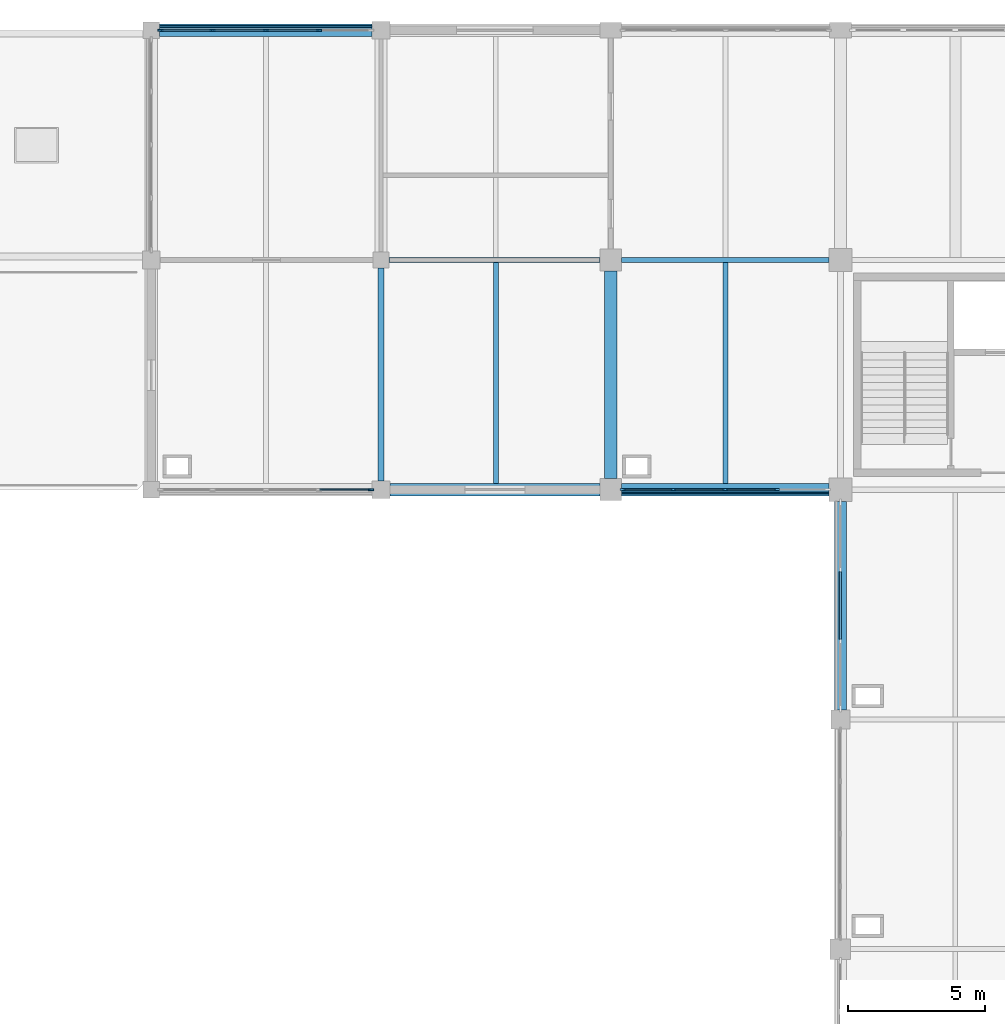
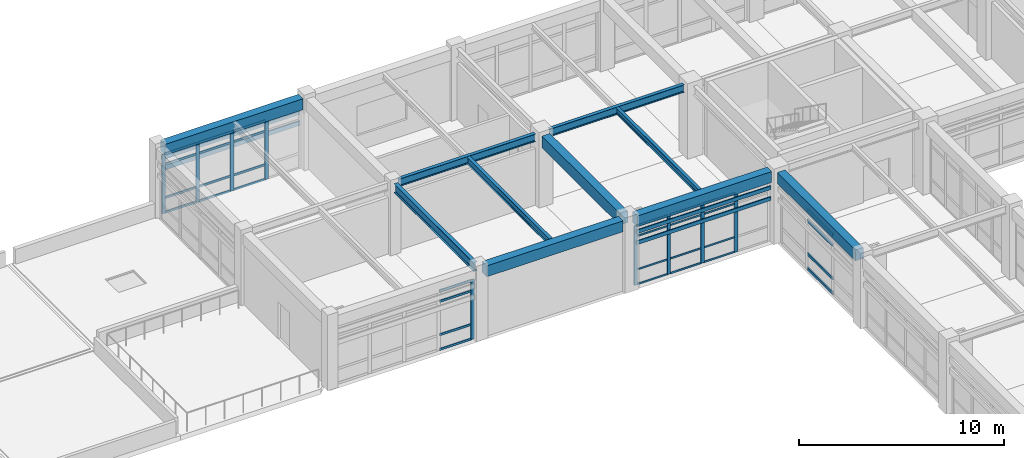
# One storey, part 15 of 78: 45 members, 10 beams, 4 elements without a shape of their own.
"""IFC4 building model written with IfcOpenShell, lengths in metres."""

from ifc_helpers import new_model, si_unit, direction, frame, origin, origin_2d, place, context, subcontext, project, spatial, rectangle, i_section, extrude, material, layer, layer_set, material_profile, profile_set, type_object, element, aggregate, save


model = new_model("IFC4")

# Units and contexts
model_context = context("Model", 3, precision=1e-05, world=origin(), true_north=direction((0.0, 1.0)))
body_context = subcontext(model_context, "Body", "Model", "MODEL_VIEW")
ifc_project = project(units=[si_unit("LENGTHUNIT", "METRE"), si_unit("AREAUNIT", "SQUARE_METRE"), si_unit("VOLUMEUNIT", "CUBIC_METRE"), si_unit("PLANEANGLEUNIT", "RADIAN"), si_unit("MASSUNIT", "GRAM", prefix="KILO")], contexts=[model_context])

# Site, building, storey
site_placement = place(None, origin())
site = spatial("IfcSite", under=ifc_project, at=site_placement, CompositionType="ELEMENT")
building_placement = place(site_placement, origin())
building = spatial("IfcBuilding", under=site, at=building_placement, Name="Porcellanite Civic Hall", CompositionType="ELEMENT")
storey_placement = place(building_placement, frame((0.0, 0.0, 10.260009765625)))
storey = spatial("IfcBuildingStorey", under=building, at=storey_placement, Name="L02", CompositionType="ELEMENT", Elevation=10.260009765625)

# Beams
ifc_material_1 = material(Name="Concrete N50 (50 MPa)", Category="concrete")
ifc_material_profile_1 = material_profile(ifc_material_1, rectangle(XDim=0.449951171875, YDim=0.64990234375, at=origin_2d()), Name="RC-450x650")
ifc_profile_set_1 = profile_set([ifc_material_profile_1], Name="Concrete N50 (50 MPa)")
beam_type_1 = type_object("IfcBeamType", Name="BM-RC650", PredefinedType="SPANDREL", material=ifc_profile_set_1)
beam_1_placement = place(storey_placement, frame((25.49951171875, 117.60009765625, 3.9150390625), z_axis=(1.0, 0.0, 0.0), x_axis=(0.0, 1.0, 0.0)))
element("IfcBeam", 1, at=beam_1_placement, inside=storey, type_object=beam_type_1, Name="Beam X L02 4-15", PredefinedType="SPANDREL", context=body_context, shape_type="SweptSolid", body=[
    extrude(rectangle(XDim=0.449951171875, YDim=0.64990234375, at=origin_2d()), origin(), (0.0, 0.0, 1.0), 7.77587890625),
])
beam_2_placement = place(storey_placement, frame((33.924560546875, 100.800048828125, 3.9150390625), z_axis=(1.0, 0.0, 0.0), x_axis=(0.0, 1.0, 0.0)))
element("IfcBeam", 2, at=beam_2_placement, inside=storey, type_object=beam_type_1, Name="Beam X L02 5-13", PredefinedType="SPANDREL", context=body_context, shape_type="SweptSolid", body=[
    extrude(rectangle(XDim=0.449951171875, YDim=0.64990234375, at=origin_2d()), origin(), (0.0, 0.0, 1.0), 7.676025390625),
])
beam_3_placement = place(storey_placement, frame((42.3994140625, 100.800048828125, 3.9150390625), z_axis=(1.0, 0.0, 0.0), x_axis=(0.0, 1.0, 0.0)))
element("IfcBeam", 3, at=beam_3_placement, inside=storey, type_object=beam_type_1, Name="Beam X L02 6-13", PredefinedType="SPANDREL", context=body_context, shape_type="SweptSolid", body=[
    extrude(rectangle(XDim=0.449951171875, YDim=0.64990234375, at=origin_2d()), origin(), (0.0, 0.0, 1.0), 7.576171875),
])
beam_4_placement = place(storey_placement, frame((50.39990234375, 92.74951171875, 3.9150390625), z_axis=(0.0, 1.0, 0.0), x_axis=(-1.0, 0.0, 0.0)))
element("IfcBeam", 4, at=beam_4_placement, inside=storey, type_object=beam_type_1, Name="Beam Y L02 7-12", PredefinedType="SPANDREL", context=body_context, shape_type="SweptSolid", body=[
    extrude(rectangle(XDim=0.449951171875, YDim=0.64990234375, at=origin_2d()), origin(), (0.0, 0.0, 1.0), 7.6259765625),
])
ifc_material_2 = material(Name="Concrete N50 (50 MPa)", Category="concrete")
ifc_material_profile_2 = material_profile(ifc_material_2, rectangle(XDim=0.449951171875, YDim=0.699951171875, at=origin_2d()), Name="RC-450x700")
ifc_profile_set_2 = profile_set([ifc_material_profile_2], Name="Concrete N50 (50 MPa)")
beam_type_2 = type_object("IfcBeamType", Name="BM-RC700", PredefinedType="BEAM", material=ifc_profile_set_2)
beam_5_placement = place(storey_placement, frame((42.0, 101.199462890625, 3.889892578125), z_axis=(0.0, 1.0, 0.0), x_axis=(-1.0, 0.0, 0.0)))
element("IfcBeam", 5, at=beam_5_placement, inside=storey, type_object=beam_type_2, Name="Beam Y L02 6-13", PredefinedType="BEAM", context=body_context, shape_type="SweptSolid", body=[
    extrude(rectangle(XDim=0.449951171875, YDim=0.699951171875, at=origin_2d()), origin(), (0.0, 0.0, 1.0), 7.60107421875),
])

# Curtain wall, members
ifc_material_3 = material(Name="Anodised aluminium and solar laminated glass", Category="aluminium")
ifc_layer_1 = layer(ifc_material_3, 0.179931640625)
ifc_layer_set_1 = layer_set([ifc_layer_1], Name="Anodised aluminium and solar laminated glass")
curtain_wall_type_1 = type_object("IfcCurtainWallType", Name="CW-SYS04", PredefinedType="NOTDEFINED", material=ifc_layer_set_1)
curtain_wall_1_placement = place(storey_placement, origin())
curtain_wall_1 = element("IfcCurtainWall", 6, at=curtain_wall_1_placement, inside=storey, type_object=curtain_wall_type_1, Name="Curtain wall CW-139", PredefinedType="NOTDEFINED")
ifc_material_4 = material(Name="Anodised aluminium 6063-T6", Category="aluminium")
ifc_material_profile_3 = material_profile(ifc_material_4, rectangle(XDim=0.074951171875, YDim=0.18994140625, at=origin_2d()), Name="AL-75x190")
ifc_profile_set_3 = profile_set([ifc_material_profile_3], Name="Anodised aluminium 6063-T6")
member_type_1 = type_object("IfcMemberType", Name="CWM-04", PredefinedType="MULLION", material=ifc_profile_set_3)
member_1_placement = place(storey_placement, frame((48.080810546875, 100.800048828125, 0.0), z_axis=(0.0, 0.0, 1.0), x_axis=(0.0, -1.0, 0.0)))
member_1 = element("IfcMember", 7, at=member_1_placement, type_object=member_type_1, Name="CW-139 mullion 2", PredefinedType="MULLION", context=body_context, shape_type="SweptSolid", body=[
    extrude(rectangle(XDim=0.074951171875, YDim=0.18994140625, at=origin_2d()), origin(), (0.0, 0.0, 1.0), 3.5400390625),
])
member_2_placement = place(storey_placement, frame((46.1875, 100.800048828125, 0.0), z_axis=(0.0, 0.0, 1.0), x_axis=(0.0, -1.0, 0.0)))
member_2 = element("IfcMember", 8, at=member_2_placement, type_object=member_type_1, Name="CW-139 mullion 3", PredefinedType="MULLION", context=body_context, shape_type="SweptSolid", body=[
    extrude(rectangle(XDim=0.074951171875, YDim=0.18994140625, at=origin_2d()), origin(), (0.0, 0.0, 1.0), 3.5400390625),
])
member_3_placement = place(storey_placement, frame((44.294189453125, 100.800048828125, 0.0), z_axis=(0.0, 0.0, 1.0), x_axis=(0.0, -1.0, 0.0)))
member_3 = element("IfcMember", 9, at=member_3_placement, type_object=member_type_1, Name="CW-139 mullion 4", PredefinedType="MULLION", context=body_context, shape_type="SweptSolid", body=[
    extrude(rectangle(XDim=0.074951171875, YDim=0.18994140625, at=origin_2d()), origin(), (0.0, 0.0, 1.0), 3.5400390625),
])
member_4_placement = place(storey_placement, frame((42.4384765625, 100.800048828125, 0.0), z_axis=(0.0, 0.0, 1.0), x_axis=(0.0, -1.0, 0.0)))
member_4 = element("IfcMember", 10, at=member_4_placement, type_object=member_type_1, Name="CW-139 mullion 5", PredefinedType="MULLION", context=body_context, shape_type="SweptSolid", body=[
    extrude(rectangle(XDim=0.074951171875, YDim=0.18994140625, at=origin_2d()), origin(), (0.0, 0.0, 1.0), 3.5400390625),
])

# Curtain wall, member
ifc_material_5 = material(Name="Anodised aluminium and solar laminated glass", Category="aluminium")
ifc_layer_2 = layer(ifc_material_5, 0.179931640625)
ifc_layer_set_2 = layer_set([ifc_layer_2], Name="Anodised aluminium and solar laminated glass")
curtain_wall_type_2 = type_object("IfcCurtainWallType", Name="CW-SYS05", PredefinedType="NOTDEFINED", material=ifc_layer_set_2)
curtain_wall_2_placement = place(storey_placement, origin())
curtain_wall_2 = element("IfcCurtainWall", 11, at=curtain_wall_2_placement, inside=storey, type_object=curtain_wall_type_2, Name="Curtain wall CW-136", PredefinedType="NOTDEFINED")
ifc_material_6 = material(Name="Anodised aluminium 6063-T6", Category="aluminium")
ifc_material_profile_4 = material_profile(ifc_material_6, rectangle(XDim=0.070068359375, YDim=0.199951171875, at=origin_2d()), Name="AL-70x200")
ifc_profile_set_4 = profile_set([ifc_material_profile_4], Name="Anodised aluminium 6063-T6")
member_type_2 = type_object("IfcMemberType", Name="CWM-05", PredefinedType="MULLION", material=ifc_profile_set_4)
member_5_placement = place(storey_placement, frame((33.239013671875, 100.800048828125, 0.0), z_axis=(0.0, 0.0, 1.0), x_axis=(0.0, -1.0, 0.0)))
member_5 = element("IfcMember", 12, at=member_5_placement, type_object=member_type_2, Name="CW-136 mullion 1", PredefinedType="MULLION", context=body_context, shape_type="SweptSolid", body=[
    extrude(rectangle(XDim=0.070068359375, YDim=0.199951171875, at=origin_2d()), origin(), (0.0, 0.0, 1.0), 3.5400390625),
])

# Curtain wall, members
curtain_wall_3_placement = place(storey_placement, origin())
curtain_wall_3 = element("IfcCurtainWall", 13, at=curtain_wall_3_placement, inside=storey, type_object=curtain_wall_type_2, Name="Curtain wall CW-138", PredefinedType="NOTDEFINED")
member_6_placement = place(storey_placement, frame((25.535888671875, 117.60009765625, 0.0), z_axis=(0.0, 0.0, 1.0), x_axis=(0.0, 1.0, 0.0)))
member_6 = element("IfcMember", 14, at=member_6_placement, type_object=member_type_2, Name="CW-138 mullion 1", PredefinedType="MULLION", context=body_context, shape_type="SweptSolid", body=[
    extrude(rectangle(XDim=0.070068359375, YDim=0.199951171875, at=origin_2d()), origin(), (0.0, 0.0, 1.0), 3.5400390625),
])
member_7_placement = place(storey_placement, frame((27.4443359375, 117.60009765625, 0.0), z_axis=(0.0, 0.0, 1.0), x_axis=(0.0, 1.0, 0.0)))
member_7 = element("IfcMember", 15, at=member_7_placement, type_object=member_type_2, Name="CW-138 mullion 2", PredefinedType="MULLION", context=body_context, shape_type="SweptSolid", body=[
    extrude(rectangle(XDim=0.070068359375, YDim=0.199951171875, at=origin_2d()), origin(), (0.0, 0.0, 1.0), 3.5400390625),
])
member_8_placement = place(storey_placement, frame((29.387451171875, 117.60009765625, 0.0), z_axis=(0.0, 0.0, 1.0), x_axis=(0.0, 1.0, 0.0)))
member_8 = element("IfcMember", 16, at=member_8_placement, type_object=member_type_2, Name="CW-138 mullion 3", PredefinedType="MULLION", context=body_context, shape_type="SweptSolid", body=[
    extrude(rectangle(XDim=0.070068359375, YDim=0.199951171875, at=origin_2d()), origin(), (0.0, 0.0, 1.0), 3.5400390625),
])
member_9_placement = place(storey_placement, frame((31.330810546875, 117.60009765625, 0.0), z_axis=(0.0, 0.0, 1.0), x_axis=(0.0, 1.0, 0.0)))
member_9 = element("IfcMember", 17, at=member_9_placement, type_object=member_type_2, Name="CW-138 mullion 4", PredefinedType="MULLION", context=body_context, shape_type="SweptSolid", body=[
    extrude(rectangle(XDim=0.070068359375, YDim=0.199951171875, at=origin_2d()), origin(), (0.0, 0.0, 1.0), 3.5400390625),
])

ifc_material_7 = material(Name="Anodised aluminium and solar laminated glass", Category="aluminium")
ifc_layer_3 = layer(ifc_material_7, 0.179931640625)
ifc_layer_set_3 = layer_set([ifc_layer_3], Name="Anodised aluminium and solar laminated glass")
curtain_wall_type_3 = type_object("IfcCurtainWallType", Name="CW-SYS08", PredefinedType="NOTDEFINED", material=ifc_layer_set_3)
curtain_wall_4_placement = place(storey_placement, origin())
curtain_wall_4 = element("IfcCurtainWall", 18, at=curtain_wall_4_placement, inside=storey, type_object=curtain_wall_type_3, Name="Curtain wall CW-148", PredefinedType="NOTDEFINED")
ifc_material_8 = material(Name="Anodised aluminium 6063-T6", Category="aluminium")
ifc_material_profile_5 = material_profile(ifc_material_8, rectangle(XDim=0.070068359375, YDim=0.175048828125, at=origin_2d()), Name="AL-70x175")
ifc_profile_set_5 = profile_set([ifc_material_profile_5], Name="Anodised aluminium 6063-T6")
member_type_3 = type_object("IfcMemberType", Name="CWT-01", PredefinedType="USERDEFINED", material=ifc_profile_set_5)
member_10_placement = place(storey_placement, frame((50.39990234375, 95.33203125, 0.034912109375), z_axis=(0.0, 1.0, 0.0), x_axis=(-1.0, 0.0, 0.0)))
member_10 = element("IfcMember", 19, at=member_10_placement, type_object=member_type_3, Name="CW-148 transom 2.1", ObjectType="TRANSOM", PredefinedType="USERDEFINED", context=body_context, shape_type="SweptSolid", body=[
    extrude(rectangle(XDim=0.070068359375, YDim=0.175048828125, at=origin_2d()), origin(), (0.0, 0.0, 1.0), 2.4609375),
])
member_11_placement = place(storey_placement, frame((50.39990234375, 95.33203125, 0.89990234375), z_axis=(0.0, 1.0, 0.0), x_axis=(-1.0, 0.0, 0.0)))
member_11 = element("IfcMember", 20, at=member_11_placement, type_object=member_type_3, Name="CW-148 transom 2.2", ObjectType="TRANSOM", PredefinedType="USERDEFINED", context=body_context, shape_type="SweptSolid", body=[
    extrude(rectangle(XDim=0.070068359375, YDim=0.175048828125, at=origin_2d()), origin(), (0.0, 0.0, 1.0), 2.4609375),
])
member_12_placement = place(storey_placement, frame((50.39990234375, 95.33203125, 2.889892578125), z_axis=(0.0, 1.0, 0.0), x_axis=(-1.0, 0.0, 0.0)))
member_12 = element("IfcMember", 21, at=member_12_placement, type_object=member_type_3, Name="CW-148 transom 2.3", ObjectType="TRANSOM", PredefinedType="USERDEFINED", context=body_context, shape_type="SweptSolid", body=[
    extrude(rectangle(XDim=0.070068359375, YDim=0.175048828125, at=origin_2d()), origin(), (0.0, 0.0, 1.0), 2.4609375),
])
member_13_placement = place(storey_placement, frame((50.39990234375, 95.33203125, 3.5048828125), z_axis=(0.0, 1.0, 0.0), x_axis=(-1.0, 0.0, 0.0)))
member_13 = element("IfcMember", 22, at=member_13_placement, type_object=member_type_3, Name="CW-148 transom 2.4", ObjectType="TRANSOM", PredefinedType="USERDEFINED", context=body_context, shape_type="SweptSolid", body=[
    extrude(rectangle(XDim=0.070068359375, YDim=0.175048828125, at=origin_2d()), origin(), (0.0, 0.0, 1.0), 2.4609375),
])
aggregate(curtain_wall_4, [member_10, member_11, member_12, member_13])

# Member
ifc_material_9 = material(Name="Anodised aluminium 6063-T6", Category="aluminium")
ifc_material_profile_6 = material_profile(ifc_material_9, rectangle(XDim=0.06005859375, YDim=0.1298828125, at=origin_2d()), Name="AL-60x130")
ifc_profile_set_6 = profile_set([ifc_material_profile_6], Name="Anodised aluminium 6063-T6")
member_type_4 = type_object("IfcMemberType", Name="CWT-03", PredefinedType="USERDEFINED", material=ifc_profile_set_6)
member_14_placement = place(storey_placement, frame((33.2041015625, 100.800048828125, 0.030029296875), z_axis=(-1.0, 0.0, 0.0), x_axis=(0.0, -1.0, 0.0)))
member_14 = element("IfcMember", 23, at=member_14_placement, type_object=member_type_4, Name="CW-136 transom 1.1", ObjectType="TRANSOM", PredefinedType="USERDEFINED", context=body_context, shape_type="SweptSolid", body=[
    extrude(rectangle(XDim=0.06005859375, YDim=0.1298828125, at=origin_2d()), origin(), (0.0, 0.0, 1.0), 1.83837890625),
])

member_15_placement = place(storey_placement, frame((33.2041015625, 100.800048828125, 0.89990234375), z_axis=(-1.0, 0.0, 0.0), x_axis=(0.0, -1.0, 0.0)))
member_15 = element("IfcMember", 24, at=member_15_placement, type_object=member_type_4, Name="CW-136 transom 1.2", ObjectType="TRANSOM", PredefinedType="USERDEFINED", context=body_context, shape_type="SweptSolid", body=[
    extrude(rectangle(XDim=0.06005859375, YDim=0.1298828125, at=origin_2d()), origin(), (0.0, 0.0, 1.0), 1.83837890625),
])

member_16_placement = place(storey_placement, frame((33.2041015625, 100.800048828125, 2.889892578125), z_axis=(-1.0, 0.0, 0.0), x_axis=(0.0, -1.0, 0.0)))
member_16 = element("IfcMember", 25, at=member_16_placement, type_object=member_type_4, Name="CW-136 transom 1.3", ObjectType="TRANSOM", PredefinedType="USERDEFINED", context=body_context, shape_type="SweptSolid", body=[
    extrude(rectangle(XDim=0.06005859375, YDim=0.1298828125, at=origin_2d()), origin(), (0.0, 0.0, 1.0), 1.83837890625),
])

member_17_placement = place(storey_placement, frame((33.2041015625, 100.800048828125, 3.510009765625), z_axis=(-1.0, 0.0, 0.0), x_axis=(0.0, -1.0, 0.0)))
member_17 = element("IfcMember", 26, at=member_17_placement, type_object=member_type_4, Name="CW-136 transom 1.4", ObjectType="TRANSOM", PredefinedType="USERDEFINED", context=body_context, shape_type="SweptSolid", body=[
    extrude(rectangle(XDim=0.06005859375, YDim=0.1298828125, at=origin_2d()), origin(), (0.0, 0.0, 1.0), 1.83837890625),
])

aggregate(curtain_wall_2, [member_5, member_14, member_15, member_16, member_17])

member_18_placement = place(storey_placement, frame((25.571044921875, 117.60009765625, 0.030029296875), z_axis=(1.0, 0.0, 0.0), x_axis=(0.0, 1.0, 0.0)))
member_18 = element("IfcMember", 27, at=member_18_placement, type_object=member_type_4, Name="CW-138 transom 1.1", ObjectType="TRANSOM", PredefinedType="USERDEFINED", context=body_context, shape_type="SweptSolid", body=[
    extrude(rectangle(XDim=0.06005859375, YDim=0.1298828125, at=origin_2d()), origin(), (0.0, 0.0, 1.0), 1.838134765625),
])

member_19_placement = place(storey_placement, frame((25.571044921875, 117.60009765625, 0.89990234375), z_axis=(1.0, 0.0, 0.0), x_axis=(0.0, 1.0, 0.0)))
member_19 = element("IfcMember", 28, at=member_19_placement, type_object=member_type_4, Name="CW-138 transom 1.2", ObjectType="TRANSOM", PredefinedType="USERDEFINED", context=body_context, shape_type="SweptSolid", body=[
    extrude(rectangle(XDim=0.06005859375, YDim=0.1298828125, at=origin_2d()), origin(), (0.0, 0.0, 1.0), 1.838134765625),
])

member_20_placement = place(storey_placement, frame((25.571044921875, 117.60009765625, 2.889892578125), z_axis=(1.0, 0.0, 0.0), x_axis=(0.0, 1.0, 0.0)))
member_20 = element("IfcMember", 29, at=member_20_placement, type_object=member_type_4, Name="CW-138 transom 1.3", ObjectType="TRANSOM", PredefinedType="USERDEFINED", context=body_context, shape_type="SweptSolid", body=[
    extrude(rectangle(XDim=0.06005859375, YDim=0.1298828125, at=origin_2d()), origin(), (0.0, 0.0, 1.0), 1.838134765625),
])

member_21_placement = place(storey_placement, frame((25.571044921875, 117.60009765625, 3.510009765625), z_axis=(1.0, 0.0, 0.0), x_axis=(0.0, 1.0, 0.0)))
member_21 = element("IfcMember", 30, at=member_21_placement, type_object=member_type_4, Name="CW-138 transom 1.4", ObjectType="TRANSOM", PredefinedType="USERDEFINED", context=body_context, shape_type="SweptSolid", body=[
    extrude(rectangle(XDim=0.06005859375, YDim=0.1298828125, at=origin_2d()), origin(), (0.0, 0.0, 1.0), 1.838134765625),
])

member_22_placement = place(storey_placement, frame((27.479248046875, 117.60009765625, 0.030029296875), z_axis=(1.0, 0.0, 0.0), x_axis=(0.0, 1.0, 0.0)))
member_22 = element("IfcMember", 31, at=member_22_placement, type_object=member_type_4, Name="CW-138 transom 2.1", ObjectType="TRANSOM", PredefinedType="USERDEFINED", context=body_context, shape_type="SweptSolid", body=[
    extrude(rectangle(XDim=0.06005859375, YDim=0.1298828125, at=origin_2d()), origin(), (0.0, 0.0, 1.0), 1.873291015625),
])

member_23_placement = place(storey_placement, frame((27.479248046875, 117.60009765625, 0.89990234375), z_axis=(1.0, 0.0, 0.0), x_axis=(0.0, 1.0, 0.0)))
member_23 = element("IfcMember", 32, at=member_23_placement, type_object=member_type_4, Name="CW-138 transom 2.2", ObjectType="TRANSOM", PredefinedType="USERDEFINED", context=body_context, shape_type="SweptSolid", body=[
    extrude(rectangle(XDim=0.06005859375, YDim=0.1298828125, at=origin_2d()), origin(), (0.0, 0.0, 1.0), 1.873291015625),
])

member_24_placement = place(storey_placement, frame((27.479248046875, 117.60009765625, 2.889892578125), z_axis=(1.0, 0.0, 0.0), x_axis=(0.0, 1.0, 0.0)))
member_24 = element("IfcMember", 33, at=member_24_placement, type_object=member_type_4, Name="CW-138 transom 2.3", ObjectType="TRANSOM", PredefinedType="USERDEFINED", context=body_context, shape_type="SweptSolid", body=[
    extrude(rectangle(XDim=0.06005859375, YDim=0.1298828125, at=origin_2d()), origin(), (0.0, 0.0, 1.0), 1.873291015625),
])

member_25_placement = place(storey_placement, frame((27.479248046875, 117.60009765625, 3.510009765625), z_axis=(1.0, 0.0, 0.0), x_axis=(0.0, 1.0, 0.0)))
member_25 = element("IfcMember", 34, at=member_25_placement, type_object=member_type_4, Name="CW-138 transom 2.4", ObjectType="TRANSOM", PredefinedType="USERDEFINED", context=body_context, shape_type="SweptSolid", body=[
    extrude(rectangle(XDim=0.06005859375, YDim=0.1298828125, at=origin_2d()), origin(), (0.0, 0.0, 1.0), 1.873291015625),
])

member_26_placement = place(storey_placement, frame((29.422607421875, 117.60009765625, 0.030029296875), z_axis=(1.0, 0.0, 0.0), x_axis=(0.0, 1.0, 0.0)))
member_26 = element("IfcMember", 35, at=member_26_placement, type_object=member_type_4, Name="CW-138 transom 3.1", ObjectType="TRANSOM", PredefinedType="USERDEFINED", context=body_context, shape_type="SweptSolid", body=[
    extrude(rectangle(XDim=0.06005859375, YDim=0.1298828125, at=origin_2d()), origin(), (0.0, 0.0, 1.0), 1.873046875),
])

member_27_placement = place(storey_placement, frame((29.422607421875, 117.60009765625, 0.89990234375), z_axis=(1.0, 0.0, 0.0), x_axis=(0.0, 1.0, 0.0)))
member_27 = element("IfcMember", 36, at=member_27_placement, type_object=member_type_4, Name="CW-138 transom 3.2", ObjectType="TRANSOM", PredefinedType="USERDEFINED", context=body_context, shape_type="SweptSolid", body=[
    extrude(rectangle(XDim=0.06005859375, YDim=0.1298828125, at=origin_2d()), origin(), (0.0, 0.0, 1.0), 1.873046875),
])

member_28_placement = place(storey_placement, frame((29.422607421875, 117.60009765625, 2.889892578125), z_axis=(1.0, 0.0, 0.0), x_axis=(0.0, 1.0, 0.0)))
member_28 = element("IfcMember", 37, at=member_28_placement, type_object=member_type_4, Name="CW-138 transom 3.3", ObjectType="TRANSOM", PredefinedType="USERDEFINED", context=body_context, shape_type="SweptSolid", body=[
    extrude(rectangle(XDim=0.06005859375, YDim=0.1298828125, at=origin_2d()), origin(), (0.0, 0.0, 1.0), 1.873046875),
])

member_29_placement = place(storey_placement, frame((29.422607421875, 117.60009765625, 3.510009765625), z_axis=(1.0, 0.0, 0.0), x_axis=(0.0, 1.0, 0.0)))
member_29 = element("IfcMember", 38, at=member_29_placement, type_object=member_type_4, Name="CW-138 transom 3.4", ObjectType="TRANSOM", PredefinedType="USERDEFINED", context=body_context, shape_type="SweptSolid", body=[
    extrude(rectangle(XDim=0.06005859375, YDim=0.1298828125, at=origin_2d()), origin(), (0.0, 0.0, 1.0), 1.873046875),
])

aggregate(curtain_wall_3, [member_6, member_7, member_8, member_9, member_18, member_19, member_20, member_21, member_22, member_23, member_24, member_25, member_26, member_27, member_28, member_29])

ifc_material_10 = material(Name="Anodised aluminium 6063-T6", Category="aluminium")
ifc_material_profile_7 = material_profile(ifc_material_10, rectangle(XDim=0.054931640625, YDim=0.10009765625, at=origin_2d()), Name="AL-55x100")
ifc_profile_set_7 = profile_set([ifc_material_profile_7], Name="Anodised aluminium 6063-T6")
member_type_5 = type_object("IfcMemberType", Name="CWT-05", PredefinedType="USERDEFINED", material=ifc_profile_set_7)
member_30_placement = place(storey_placement, frame((48.043212890625, 100.800048828125, 0.027587890625), z_axis=(-1.0, 0.0, 0.0), x_axis=(0.0, -1.0, 0.0)))
member_30 = element("IfcMember", 39, at=member_30_placement, type_object=member_type_5, Name="CW-139 transom 2.1", ObjectType="TRANSOM", PredefinedType="USERDEFINED", context=body_context, shape_type="SweptSolid", body=[
    extrude(rectangle(XDim=0.054931640625, YDim=0.10009765625, at=origin_2d()), origin(), (0.0, 0.0, 1.0), 1.818115234375),
])

member_31_placement = place(storey_placement, frame((48.043212890625, 100.800048828125, 0.89990234375), z_axis=(-1.0, 0.0, 0.0), x_axis=(0.0, -1.0, 0.0)))
member_31 = element("IfcMember", 40, at=member_31_placement, type_object=member_type_5, Name="CW-139 transom 2.2", ObjectType="TRANSOM", PredefinedType="USERDEFINED", context=body_context, shape_type="SweptSolid", body=[
    extrude(rectangle(XDim=0.054931640625, YDim=0.10009765625, at=origin_2d()), origin(), (0.0, 0.0, 1.0), 1.818115234375),
])

member_32_placement = place(storey_placement, frame((48.043212890625, 100.800048828125, 2.889892578125), z_axis=(-1.0, 0.0, 0.0), x_axis=(0.0, -1.0, 0.0)))
member_32 = element("IfcMember", 41, at=member_32_placement, type_object=member_type_5, Name="CW-139 transom 2.3", ObjectType="TRANSOM", PredefinedType="USERDEFINED", context=body_context, shape_type="SweptSolid", body=[
    extrude(rectangle(XDim=0.054931640625, YDim=0.10009765625, at=origin_2d()), origin(), (0.0, 0.0, 1.0), 1.818115234375),
])

member_33_placement = place(storey_placement, frame((48.043212890625, 100.800048828125, 3.512451171875), z_axis=(-1.0, 0.0, 0.0), x_axis=(0.0, -1.0, 0.0)))
member_33 = element("IfcMember", 42, at=member_33_placement, type_object=member_type_5, Name="CW-139 transom 2.4", ObjectType="TRANSOM", PredefinedType="USERDEFINED", context=body_context, shape_type="SweptSolid", body=[
    extrude(rectangle(XDim=0.054931640625, YDim=0.10009765625, at=origin_2d()), origin(), (0.0, 0.0, 1.0), 1.818115234375),
])

member_34_placement = place(storey_placement, frame((46.14990234375, 100.800048828125, 0.027587890625), z_axis=(-1.0, 0.0, 0.0), x_axis=(0.0, -1.0, 0.0)))
member_34 = element("IfcMember", 43, at=member_34_placement, type_object=member_type_5, Name="CW-139 transom 3.1", ObjectType="TRANSOM", PredefinedType="USERDEFINED", context=body_context, shape_type="SweptSolid", body=[
    extrude(rectangle(XDim=0.054931640625, YDim=0.10009765625, at=origin_2d()), origin(), (0.0, 0.0, 1.0), 1.818115234375),
])

member_35_placement = place(storey_placement, frame((46.14990234375, 100.800048828125, 0.89990234375), z_axis=(-1.0, 0.0, 0.0), x_axis=(0.0, -1.0, 0.0)))
member_35 = element("IfcMember", 44, at=member_35_placement, type_object=member_type_5, Name="CW-139 transom 3.2", ObjectType="TRANSOM", PredefinedType="USERDEFINED", context=body_context, shape_type="SweptSolid", body=[
    extrude(rectangle(XDim=0.054931640625, YDim=0.10009765625, at=origin_2d()), origin(), (0.0, 0.0, 1.0), 1.818115234375),
])

member_36_placement = place(storey_placement, frame((46.14990234375, 100.800048828125, 2.889892578125), z_axis=(-1.0, 0.0, 0.0), x_axis=(0.0, -1.0, 0.0)))
member_36 = element("IfcMember", 45, at=member_36_placement, type_object=member_type_5, Name="CW-139 transom 3.3", ObjectType="TRANSOM", PredefinedType="USERDEFINED", context=body_context, shape_type="SweptSolid", body=[
    extrude(rectangle(XDim=0.054931640625, YDim=0.10009765625, at=origin_2d()), origin(), (0.0, 0.0, 1.0), 1.818115234375),
])

member_37_placement = place(storey_placement, frame((46.14990234375, 100.800048828125, 3.512451171875), z_axis=(-1.0, 0.0, 0.0), x_axis=(0.0, -1.0, 0.0)))
member_37 = element("IfcMember", 46, at=member_37_placement, type_object=member_type_5, Name="CW-139 transom 3.4", ObjectType="TRANSOM", PredefinedType="USERDEFINED", context=body_context, shape_type="SweptSolid", body=[
    extrude(rectangle(XDim=0.054931640625, YDim=0.10009765625, at=origin_2d()), origin(), (0.0, 0.0, 1.0), 1.818115234375),
])

member_38_placement = place(storey_placement, frame((44.2568359375, 100.800048828125, 0.027587890625), z_axis=(-1.0, 0.0, 0.0), x_axis=(0.0, -1.0, 0.0)))
member_38 = element("IfcMember", 47, at=member_38_placement, type_object=member_type_5, Name="CW-139 transom 4.1", ObjectType="TRANSOM", PredefinedType="USERDEFINED", context=body_context, shape_type="SweptSolid", body=[
    extrude(rectangle(XDim=0.054931640625, YDim=0.10009765625, at=origin_2d()), origin(), (0.0, 0.0, 1.0), 1.78076171875),
])

member_39_placement = place(storey_placement, frame((44.2568359375, 100.800048828125, 0.89990234375), z_axis=(-1.0, 0.0, 0.0), x_axis=(0.0, -1.0, 0.0)))
member_39 = element("IfcMember", 48, at=member_39_placement, type_object=member_type_5, Name="CW-139 transom 4.2", ObjectType="TRANSOM", PredefinedType="USERDEFINED", context=body_context, shape_type="SweptSolid", body=[
    extrude(rectangle(XDim=0.054931640625, YDim=0.10009765625, at=origin_2d()), origin(), (0.0, 0.0, 1.0), 1.78076171875),
])

member_40_placement = place(storey_placement, frame((44.2568359375, 100.800048828125, 2.889892578125), z_axis=(-1.0, 0.0, 0.0), x_axis=(0.0, -1.0, 0.0)))
member_40 = element("IfcMember", 49, at=member_40_placement, type_object=member_type_5, Name="CW-139 transom 4.3", ObjectType="TRANSOM", PredefinedType="USERDEFINED", context=body_context, shape_type="SweptSolid", body=[
    extrude(rectangle(XDim=0.054931640625, YDim=0.10009765625, at=origin_2d()), origin(), (0.0, 0.0, 1.0), 1.78076171875),
])

member_41_placement = place(storey_placement, frame((44.2568359375, 100.800048828125, 3.512451171875), z_axis=(-1.0, 0.0, 0.0), x_axis=(0.0, -1.0, 0.0)))
member_41 = element("IfcMember", 50, at=member_41_placement, type_object=member_type_5, Name="CW-139 transom 4.4", ObjectType="TRANSOM", PredefinedType="USERDEFINED", context=body_context, shape_type="SweptSolid", body=[
    extrude(rectangle(XDim=0.054931640625, YDim=0.10009765625, at=origin_2d()), origin(), (0.0, 0.0, 1.0), 1.78076171875),
])

aggregate(curtain_wall_1, [member_1, member_2, member_3, member_4, member_30, member_31, member_32, member_33, member_34, member_35, member_36, member_37, member_38, member_39, member_40, member_41])

# Beams
ifc_material_11 = material(Name="Steel Grade 350", Category="steel")
ifc_material_profile_8 = material_profile(ifc_material_11, i_section(OverallWidth=0.172119140625, OverallDepth=0.35888671875, WebThickness=0.008056640625, FlangeThickness=0.012939453125, FilletRadius=0.011474609375, at=origin_2d()), Name="360UB56.7")
ifc_profile_set_8 = profile_set([ifc_material_profile_8], Name="Steel Grade 350")
beam_type_3 = type_object("IfcBeamType", Name="JST-360UB57", PredefinedType="JOIST", material=ifc_profile_set_8)
beam_6_placement = place(storey_placement, frame((46.199951171875, 101.0244140625, 4.060546875), z_axis=(0.0, 1.0, 0.0), x_axis=(-1.0, 0.0, 0.0)))
element("IfcBeam", 51, at=beam_6_placement, inside=storey, type_object=beam_type_3, Name="Secondary joist L02 6-13", PredefinedType="JOIST", context=body_context, shape_type="SweptSolid", body=[
    extrude(i_section(OverallWidth=0.172119140625, OverallDepth=0.35888671875, WebThickness=0.008056640625, FlangeThickness=0.012939453125, FilletRadius=0.011474609375, at=origin_2d()), origin(), (0.0, 0.0, 1.0), 8.0810546875),
])
ifc_material_12 = material(Name="Steel Grade 350", Category="steel")
ifc_material_profile_9 = material_profile(ifc_material_12, i_section(OverallWidth=0.177978515625, OverallDepth=0.403076171875, WebThickness=0.007568359375, FlangeThickness=0.010986328125, FilletRadius=0.011474609375, at=origin_2d()), Name="410UB53.7")
ifc_profile_set_9 = profile_set([ifc_material_profile_9], Name="Steel Grade 350")
beam_type_4 = type_object("IfcBeamType", Name="JST-410UB54", PredefinedType="JOIST", material=ifc_profile_set_9)
beam_7_placement = place(storey_placement, frame((37.800048828125, 101.0244140625, 4.03857421875), z_axis=(0.0, 1.0, 0.0), x_axis=(-1.0, 0.0, 0.0)))
element("IfcBeam", 52, at=beam_7_placement, inside=storey, type_object=beam_type_4, Name="Secondary joist L02 5-13", PredefinedType="JOIST", context=body_context, shape_type="SweptSolid", body=[
    extrude(i_section(OverallWidth=0.177978515625, OverallDepth=0.403076171875, WebThickness=0.007568359375, FlangeThickness=0.010986328125, FilletRadius=0.011474609375, at=origin_2d()), origin(), (0.0, 0.0, 1.0), 8.0810546875),
])

# Members
ifc_material_13 = material(Name="Fluoropolymer bauxite-red aluminium 6063-T6", Category="aluminium")
ifc_material_profile_10 = material_profile(ifc_material_13, rectangle(XDim=0.070068359375, YDim=0.280029296875, at=origin_2d()), Name="AL-70x280")
ifc_profile_set_10 = profile_set([ifc_material_profile_10], Name="Fluoropolymer bauxite-red aluminium 6063-T6")
member_type_6 = type_object("IfcMemberType", Name="LV-BLD05", PredefinedType="USERDEFINED", material=ifc_profile_set_10)
for number, where, z_axis, x_axis, name in (
    (53, (25.49951171875, 117.737060546875, 3.239990234375), (1.0, 0.0, 0.0), (0.0, 1.0, 0.0), "Cyclone sunshade louvre L02 N 3-13 1"),
    (54, (25.49951171875, 117.737060546875, 2.590087890625), (1.0, 0.0, 0.0), (0.0, 1.0, 0.0), "Cyclone sunshade louvre L02 N 3-13 2"),
):
    element("IfcMember", number, at=place(storey_placement, frame(where, z_axis=z_axis, x_axis=x_axis)), inside=storey, type_object=member_type_6, Name=name, ObjectType="LOUVRE BLADE", PredefinedType="USERDEFINED", context=body_context, shape_type="SweptSolid", body=[
        extrude(rectangle(XDim=0.070068359375, YDim=0.280029296875, at=origin_2d()), origin(), (0.0, 0.0, 1.0), 7.77587890625),
    ])
ifc_material_14 = material(Name="Fluoropolymer bauxite-red aluminium 6063-T6", Category="aluminium")
ifc_material_profile_11 = material_profile(ifc_material_14, rectangle(XDim=0.06005859375, YDim=0.219970703125, at=origin_2d()), Name="AL-60x220")
ifc_profile_set_11 = profile_set([ifc_material_profile_11], Name="Fluoropolymer bauxite-red aluminium 6063-T6")
member_type_7 = type_object("IfcMemberType", Name="LV-BLD08", PredefinedType="USERDEFINED", material=ifc_profile_set_11)
for number, where, z_axis, x_axis, name in (
    (55, (49.9755859375, 100.673095703125, 3.239990234375), (-1.0, 0.0, 0.0), (0.0, -1.0, 0.0), "Cyclone sunshade louvre L02 S 5-12 1"),
    (56, (49.9755859375, 100.673095703125, 2.590087890625), (-1.0, 0.0, 0.0), (0.0, -1.0, 0.0), "Cyclone sunshade louvre L02 S 5-12 2"),
):
    element("IfcMember", number, at=place(storey_placement, frame(where, z_axis=z_axis, x_axis=x_axis)), inside=storey, type_object=member_type_7, Name=name, ObjectType="LOUVRE BLADE", PredefinedType="USERDEFINED", context=body_context, shape_type="SweptSolid", body=[
        extrude(rectangle(XDim=0.06005859375, YDim=0.219970703125, at=origin_2d()), origin(), (0.0, 0.0, 1.0), 7.576171875),
    ])

# Beams
ifc_material_15 = material(Name="Steel Grade 350", Category="steel")
ifc_material_profile_12 = material_profile(ifc_material_15, i_section(OverallWidth=0.18994140625, OverallDepth=0.4541015625, WebThickness=0.008544921875, FlangeThickness=0.0126953125, FilletRadius=0.011474609375, at=origin_2d()), Name="460UB67.1")
ifc_profile_set_12 = profile_set([ifc_material_profile_12], Name="Steel Grade 350")
beam_type_5 = type_object("IfcBeamType", Name="RAF-460UB67", PredefinedType="BEAM", material=ifc_profile_set_12)
beam_8_placement = place(storey_placement, frame((33.8994140625, 109.199951171875, 4.012939453125), z_axis=(1.0, 0.0, 0.0), x_axis=(0.0, 1.0, 0.0)))
element("IfcBeam", 57, at=beam_8_placement, inside=storey, type_object=beam_type_5, Name="Beam X L02 5-14", PredefinedType="BEAM", context=body_context, shape_type="SweptSolid", body=[
    extrude(i_section(OverallWidth=0.18994140625, OverallDepth=0.4541015625, WebThickness=0.008544921875, FlangeThickness=0.0126953125, FilletRadius=0.011474609375, at=origin_2d()), origin(), (0.0, 0.0, 1.0), 7.701171875),
])
beam_9_placement = place(storey_placement, frame((42.3994140625, 109.199951171875, 4.012939453125), z_axis=(1.0, 0.0, 0.0), x_axis=(0.0, 1.0, 0.0)))
element("IfcBeam", 58, at=beam_9_placement, inside=storey, type_object=beam_type_5, Name="Beam X L02 6-14", PredefinedType="BEAM", context=body_context, shape_type="SweptSolid", body=[
    extrude(i_section(OverallWidth=0.18994140625, OverallDepth=0.4541015625, WebThickness=0.008544921875, FlangeThickness=0.0126953125, FilletRadius=0.011474609375, at=origin_2d()), origin(), (0.0, 0.0, 1.0), 7.576171875),
])
ifc_material_16 = material(Name="Steel Grade 350", Category="steel")
ifc_material_profile_13 = material_profile(ifc_material_16, i_section(OverallWidth=0.208984375, OverallDepth=0.528076171875, WebThickness=0.009521484375, FlangeThickness=0.01318359375, FilletRadius=0.013916015625, at=origin_2d()), Name="530UB82.0")
ifc_profile_set_13 = profile_set([ifc_material_profile_13], Name="Steel Grade 350")
beam_type_6 = type_object("IfcBeamType", Name="RAF-530UB82", PredefinedType="BEAM", material=ifc_profile_set_13)
beam_10_placement = place(storey_placement, frame((33.60009765625, 101.12451171875, 3.97607421875), z_axis=(0.0, 1.0, 0.0), x_axis=(-1.0, 0.0, 0.0)))
element("IfcBeam", 59, at=beam_10_placement, inside=storey, type_object=beam_type_6, Name="Beam Y L02 5-13", PredefinedType="BEAM", context=body_context, shape_type="SweptSolid", body=[
    extrude(i_section(OverallWidth=0.208984375, OverallDepth=0.528076171875, WebThickness=0.009521484375, FlangeThickness=0.01318359375, FilletRadius=0.013916015625, at=origin_2d()), origin(), (0.0, 0.0, 1.0), 7.77587890625),
])

save(model, "model.ifc")
